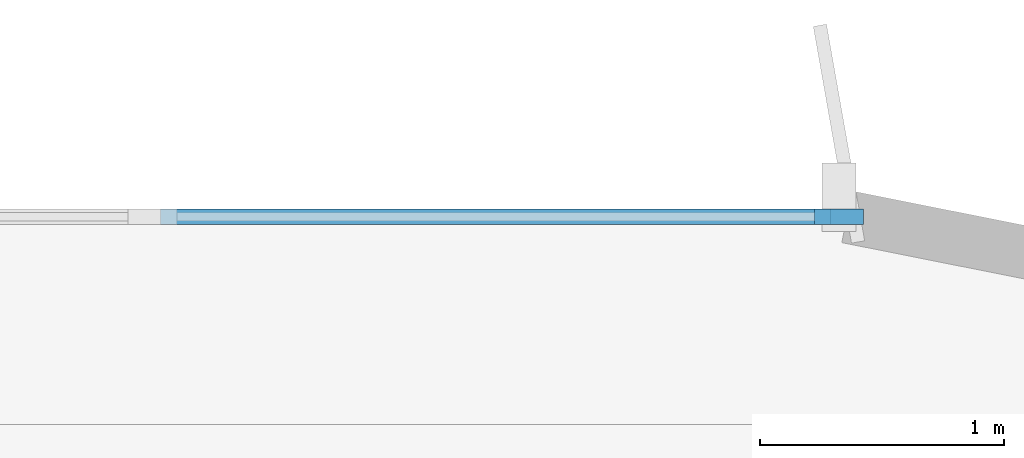
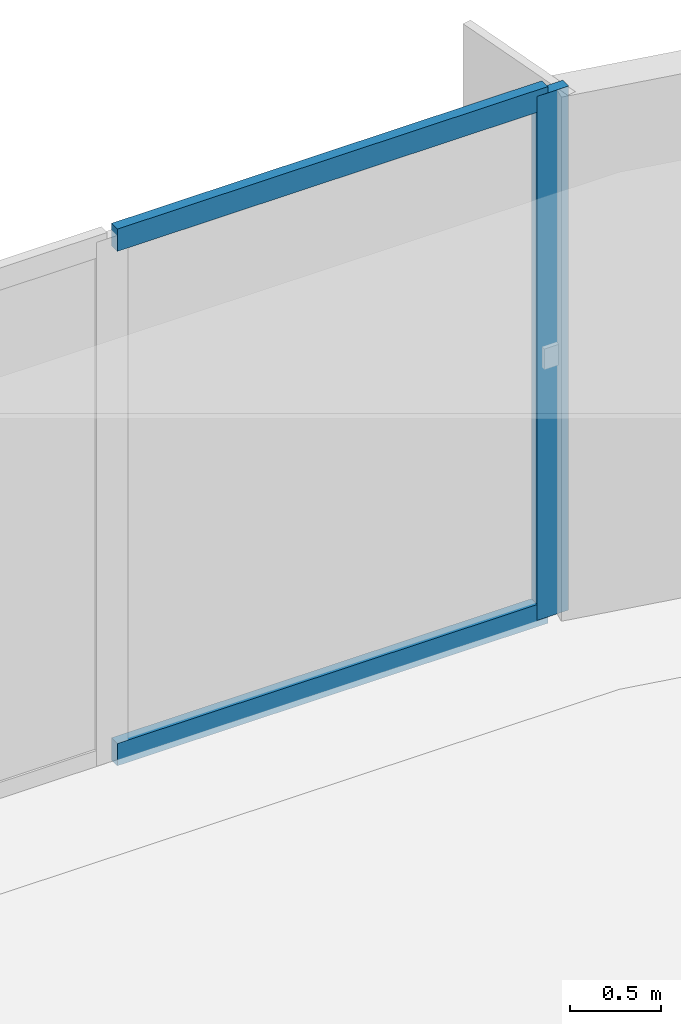
# One storey, part 8 of 16: 3 members, 1 element without a shape of its own.
"""IFC4 building model written with IfcOpenShell, lengths in metres."""

from ifc_helpers import new_model, si_unit, direction, frame, origin, origin_2d, place, context, subcontext, project, spatial, rectangle, extrude, source, transform, mapped, material, layer, layer_set, material_profile, profile_set, type_object, element, aggregate, save


model = new_model("IFC4")

# Units and contexts
model_context = context("Model", 3, precision=1e-05, world=origin(), true_north=direction((0.0, 1.0)))
body_context = subcontext(model_context, "Body", "Model", "MODEL_VIEW")
ifc_project = project(units=[si_unit("LENGTHUNIT", "METRE"), si_unit("AREAUNIT", "SQUARE_METRE"), si_unit("VOLUMEUNIT", "CUBIC_METRE"), si_unit("PLANEANGLEUNIT", "RADIAN"), si_unit("MASSUNIT", "GRAM", prefix="KILO")], contexts=[model_context])

# Site, building, storey
site_placement = place(None, origin())
site = spatial("IfcSite", under=ifc_project, at=site_placement, CompositionType="ELEMENT")
building_placement = place(site_placement, origin())
building = spatial("IfcBuilding", under=site, at=building_placement, Name="Brelvock Crest Care Tower", CompositionType="ELEMENT")
storey_placement = place(building_placement, frame((0.0, 0.0, 57.239990234375)))
storey = spatial("IfcBuildingStorey", under=building, at=storey_placement, Name="L14", CompositionType="ELEMENT", Elevation=57.239990234375)

# Curtain wall, members
ifc_material_1 = material(Name="Dark Glass Double Glazed Low-E", Category="glass")
ifc_layer = layer(ifc_material_1, 0.195068359375, Name="CWS-2")
ifc_layer_set = layer_set([ifc_layer], Name="Dark Glass Double Glazed Low-E")
curtain_wall_type = type_object("IfcCurtainWallType", Name="CWS-2", PredefinedType="NOTDEFINED", material=ifc_layer_set)
curtain_wall_placement = place(storey_placement, origin())
curtain_wall = element("IfcCurtainWall", 1, at=curtain_wall_placement, inside=storey, type_object=curtain_wall_type, Name="L14 Curtain Wall E30", PredefinedType="NOTDEFINED")
ifc_material_2 = material(Name="Aluminium 6063-T6", Category="aluminium")
ifc_material_profile_1 = material_profile(ifc_material_2, rectangle(XDim=0.06494140625, YDim=0.199951171875, at=origin_2d()), Name="ALU65x200")
ifc_profile_set_1 = profile_set([ifc_material_profile_1], Name="Aluminium 6063-T6")
member_type_1 = type_object("IfcMemberType", Name="CWM-1", PredefinedType="MULLION", material=ifc_profile_set_1)
shared_shape_1 = source(origin(), body_context, "Body", "SweptSolid", [
    extrude(rectangle(XDim=0.06494140625, YDim=0.199951171875, at=origin_2d()), origin(), (0.0, 0.0, 1.0), 3.530029296875),
])
member_1_placement = place(storey_placement, frame((56.767578125, 36.0, 0.0), z_axis=(0.0, 0.0, 1.0), x_axis=(0.0, 1.0, 0.0)))
member_1 = element("IfcMember", 2, at=member_1_placement, type_object=member_type_1, Name="CW-2 mullion 6", PredefinedType="MULLION", context=body_context, shape_type="MappedRepresentation", body=[
    mapped(shared_shape_1, transform((0.0, 0.0, 0.0), x_axis=(1.0, 0.0, 0.0), y_axis=(0.0, 1.0, 0.0), z_axis=(0.0, 0.0, 1.0), scale=1.0)),
])
ifc_material_profile_2 = material_profile(ifc_material_2, rectangle(XDim=0.06494140625, YDim=0.14990234375, at=origin_2d()), Name="ALU65x150")
ifc_profile_set_2 = profile_set([ifc_material_profile_2], Name="Aluminium 6063-T6")
member_type_2 = type_object("IfcMemberType", Name="CWT-1", PredefinedType="USERDEFINED", material=ifc_profile_set_2)
shared_shape_2 = source(origin(), body_context, "Body", "SweptSolid", [
    extrude(rectangle(XDim=0.06494140625, YDim=0.14990234375, at=origin_2d()), origin(), (0.0, 0.0, 1.0), 2.74267578125),
])
member_2_placement = place(storey_placement, frame((53.992431640625, 36.0, 0.032470703125), z_axis=(1.0, 0.0, 0.0), x_axis=(0.0, 1.0, 0.0)))
member_2 = element("IfcMember", 3, at=member_2_placement, type_object=member_type_2, Name="CW-2 transom 5.1", ObjectType="TRANSOM", PredefinedType="USERDEFINED", context=body_context, shape_type="MappedRepresentation", body=[
    mapped(shared_shape_2, transform((0.0, 0.0, 0.0), x_axis=(1.0, 0.0, 0.0), y_axis=(0.0, 1.0, 0.0), z_axis=(0.0, 0.0, 1.0), scale=1.0)),
])
member_3_placement = place(storey_placement, frame((53.992431640625, 36.0, 3.49755859375), z_axis=(1.0, 0.0, 0.0), x_axis=(0.0, 1.0, 0.0)))
member_3 = element("IfcMember", 4, at=member_3_placement, type_object=member_type_2, Name="CW-2 transom 5.2", ObjectType="TRANSOM", PredefinedType="USERDEFINED", context=body_context, shape_type="MappedRepresentation", body=[
    mapped(shared_shape_2, transform((0.0, 0.0, 0.0), x_axis=(1.0, 0.0, 0.0), y_axis=(0.0, 1.0, 0.0), z_axis=(0.0, 0.0, 1.0), scale=1.0)),
])
aggregate(curtain_wall, [member_1, member_2, member_3])

save(model, "model.ifc")
